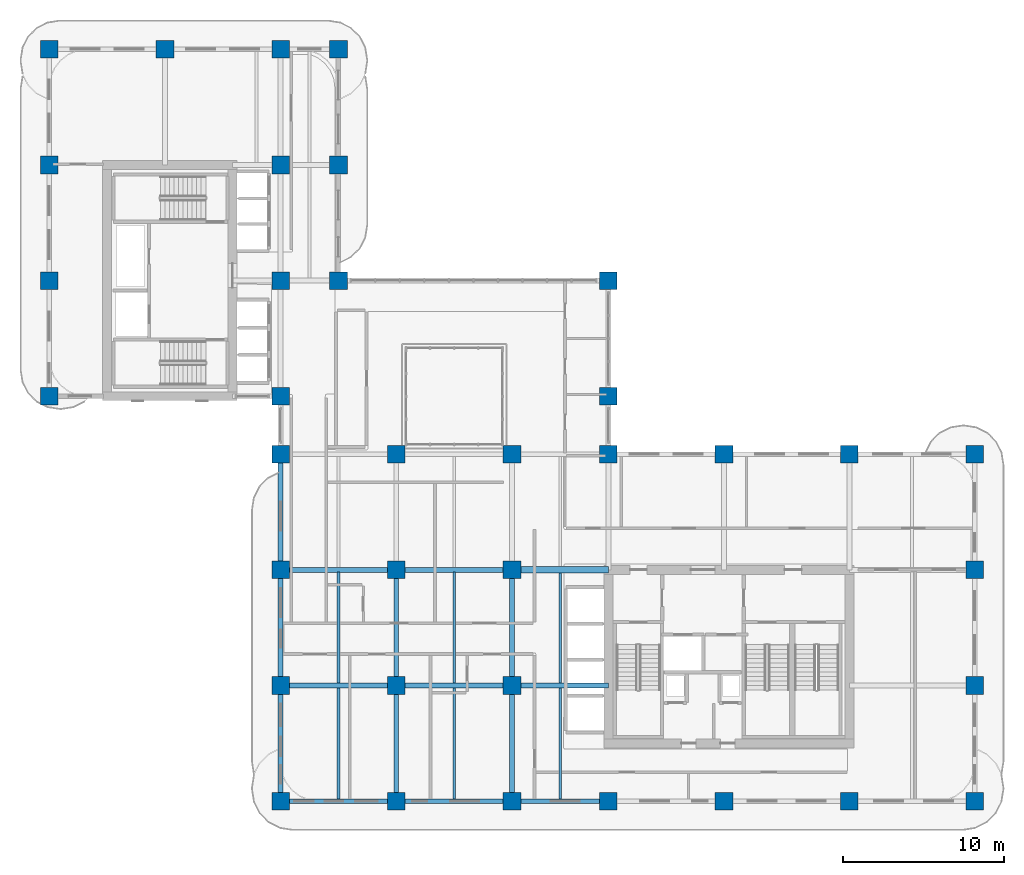
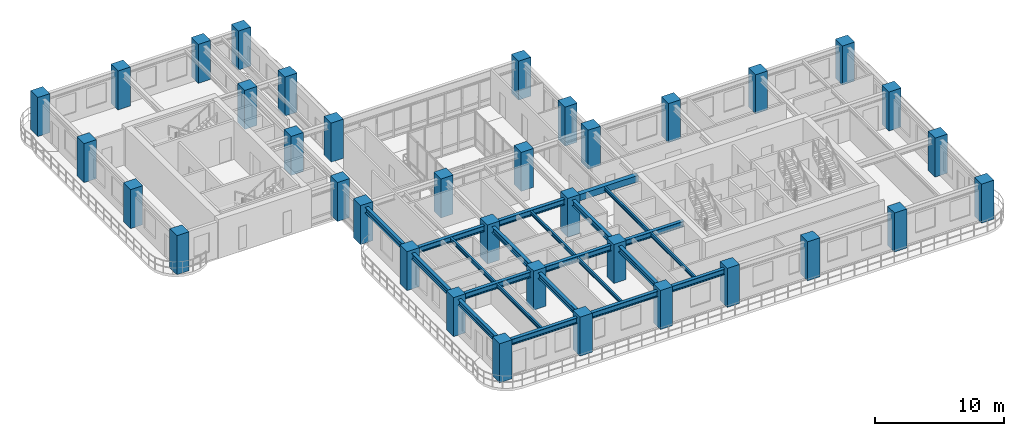
# One storey, part 1 of 19: 36 columns, 22 beams.
"""IFC4 building model written with IfcOpenShell, lengths in metres."""

import ifcopenshell
import ifcopenshell.guid

model = None  # the IFC model being written
_history = None  # IfcOwnerHistory: only IFC2X3 demands one
_inside = {}  # id of a spatial element -> (the spatial element, [elements in it])
_under = {}  # id of a project, library or spatial element -> (it, [spatial elements below it])
_declared = {}  # id of a project -> (the project, [libraries it declares])
_typed = {}  # id of a type object -> (the type object, [elements of that type])
_made_of = {}  # id of a material, layer set ... -> (it, [elements and type objects made of it])


def new_model(schema):
    """Start an empty IFC model of exactly this schema.

    Asked for "IFC4X3", IfcOpenShell would pick the latest addendum, in which some entities
    have other attributes; the version numbers below select the first issue.
    IFC2X3 requires an IfcOwnerHistory on every rooted entity: one is made here for all.
    """
    global model, _history
    if schema == "IFC4X3":
        model = ifcopenshell.file(schema_version=(4, 3, 0, 0))
    else:
        model = ifcopenshell.file(schema=schema)
    _inside.clear()
    _under.clear()
    _declared.clear()
    _typed.clear()
    _made_of.clear()
    _history = None
    if model.schema == "IFC2X3":
        org = make("IfcOrganization", Name="unknown")
        user = make(
            "IfcPersonAndOrganization",
            ThePerson=make("IfcPerson", FamilyName="unknown"),
            TheOrganization=org,
        )
        app = make(
            "IfcApplication",
            ApplicationDeveloper=org,
            Version="unknown",
            ApplicationFullName="unknown",
            ApplicationIdentifier="unknown",
        )
        _history = make(
            "IfcOwnerHistory",
            OwningUser=user,
            OwningApplication=app,
            ChangeAction="ADDED",
            CreationDate=0,
        )
    return model


def make(cls, **values):
    """One entity of the class cls with the attributes given. An attribute that is None is left unset."""
    return model.create_entity(
        cls, **{name: value for name, value in values.items() if value is not None}
    )


def rooted(cls, **values):
    """An entity with a GlobalId (a new one), such as an element, a storey or a relation."""
    return make(cls, GlobalId=ifcopenshell.guid.new(), OwnerHistory=_history, **values)


def si_unit(unit_type, name, prefix=None):
    """IfcSIUnit, for example si_unit("LENGTHUNIT", "METRE", prefix="MILLI")."""
    return make("IfcSIUnit", UnitType=unit_type, Prefix=prefix, Name=name)


def derived_unit(unit_type, elements):
    """IfcDerivedUnit: a product of units, each with its exponent."""
    return make(
        "IfcDerivedUnit",
        Elements=[
            make("IfcDerivedUnitElement", Unit=unit, Exponent=power)
            for unit, power in elements
        ],
        UnitType=unit_type,
    )


def assignment(units):
    """IfcUnitAssignment: the units of a project."""
    return None if units is None else make("IfcUnitAssignment", Units=units)


def point(xyz):
    """IfcCartesianPoint."""
    return None if xyz is None else make("IfcCartesianPoint", Coordinates=xyz)


def direction(xyz):
    """IfcDirection."""
    return None if xyz is None else make("IfcDirection", DirectionRatios=xyz)


def frame(location, z_axis=None, x_axis=None):
    """IfcAxis2Placement3D, a coordinate frame: its origin and axes. An axis left out is left unset."""
    return make(
        "IfcAxis2Placement3D",
        Location=point(location),
        Axis=direction(z_axis),
        RefDirection=direction(x_axis),
    )


def frame_2d(location, x_axis=None):
    """IfcAxis2Placement2D, a coordinate frame in the plane: its origin and x axis."""
    return make(
        "IfcAxis2Placement2D", Location=point(location), RefDirection=direction(x_axis)
    )


def origin():
    """The frame at (0, 0, 0) with its axes left unset."""
    return frame((0.0, 0.0, 0.0))


def origin_2d():
    """The frame at (0, 0) in the plane with its x axis left unset."""
    return frame_2d((0.0, 0.0))


def place(relative_to, where):
    """IfcLocalPlacement: puts the frame where relative to a parent placement (None: the world)."""
    return make(
        "IfcLocalPlacement", PlacementRelTo=relative_to, RelativePlacement=where
    )


def context(
    kind, dimensions, precision=None, world=None, true_north=None, identifier=None
):
    """IfcGeometricRepresentationContext, for example the 3D "Model" context."""
    return make(
        "IfcGeometricRepresentationContext",
        ContextIdentifier=identifier,
        ContextType=kind,
        CoordinateSpaceDimension=dimensions,
        Precision=precision,
        WorldCoordinateSystem=world,
        TrueNorth=true_north,
    )


def subcontext(parent, identifier, kind, view, scale=None):
    """IfcGeometricRepresentationSubContext, for example "Body" below "Model"."""
    return make(
        "IfcGeometricRepresentationSubContext",
        ContextIdentifier=identifier,
        ContextType=kind,
        ParentContext=parent,
        TargetScale=scale,
        TargetView=view,
    )


def project(units=None, contexts=None):
    """IfcProject with its units and contexts."""
    return rooted(
        "IfcProject",
        Name="project",
        RepresentationContexts=contexts,
        UnitsInContext=assignment(units),
    )


def spatial(cls, under=None, at=None, **own):
    """A site, building, storey or space (cls), placed at a placement, below another one or the project."""
    s = rooted(cls, ObjectPlacement=at, **own)
    if under is not None:
        _under.setdefault(under.id(), (under, []))[1].append(s)
    return s


def profile(cls, at=None, kind="AREA", **sizes):
    """A parametric profile (cls). Its sizes go by their IFC names, for example OverallWidth=200.0."""
    return make(cls, ProfileType=kind, Position=at, **sizes)


def rectangle(**sizes):
    """IfcRectangleProfileDef."""
    return profile("IfcRectangleProfileDef", **sizes)


def i_section(**sizes):
    """IfcIShapeProfileDef."""
    return profile("IfcIShapeProfileDef", **sizes)


def extrude(swept, where, along, depth):
    """IfcExtrudedAreaSolid: the profile swept, set in the frame where, extruded along a direction by depth."""
    return make(
        "IfcExtrudedAreaSolid",
        SweptArea=swept,
        Position=where,
        ExtrudedDirection=direction(along),
        Depth=depth,
    )


def shape(context_of_items, identifier, shape_type, items):
    """IfcShapeRepresentation: the items that make up one representation, for example the "Body"."""
    return make(
        "IfcShapeRepresentation",
        ContextOfItems=context_of_items,
        RepresentationIdentifier=identifier,
        RepresentationType=shape_type,
        Items=items,
    )


def source(mapping_origin, context_of_items, identifier, shape_type, items):
    """IfcRepresentationMap: a shape defined once, which mapped items show again and again."""
    return make(
        "IfcRepresentationMap",
        MappingOrigin=mapping_origin,
        MappedRepresentation=shape(context_of_items, identifier, shape_type, items),
    )


def transform(
    local_origin,
    x_axis=None,
    y_axis=None,
    z_axis=None,
    scale=None,
    scale2=None,
    scale3=None,
    uniform=True,
):
    """IfcCartesianTransformationOperator3D, or its non-uniform kind. x_axis, y_axis, z_axis: its Axis1, 2, 3."""
    if uniform:
        return make(
            "IfcCartesianTransformationOperator3D",
            Axis1=direction(x_axis),
            Axis2=direction(y_axis),
            LocalOrigin=point(local_origin),
            Scale=scale,
            Axis3=direction(z_axis),
        )
    return make(
        "IfcCartesianTransformationOperator3DnonUniform",
        Axis1=direction(x_axis),
        Axis2=direction(y_axis),
        LocalOrigin=point(local_origin),
        Scale=scale,
        Axis3=direction(z_axis),
        Scale2=scale2,
        Scale3=scale3,
    )


def mapped(mapping_source, mapping_target):
    """IfcMappedItem: shows the shape of a source again, moved by a transform."""
    return make(
        "IfcMappedItem", MappingSource=mapping_source, MappingTarget=mapping_target
    )


def material(Name=None, Category=None):
    """IfcMaterial."""
    return make("IfcMaterial", Name=Name, Category=Category)


def material_profile(
    of_material, cross_section, Name=None, Category=None, Priority=None
):
    """IfcMaterialProfile: a cross section and its material."""
    return make(
        "IfcMaterialProfile",
        Name=Name,
        Material=of_material,
        Profile=cross_section,
        Priority=Priority,
        Category=Category,
    )


def profile_set(profiles, Name=None, composite=None):
    """IfcMaterialProfileSet."""
    return make(
        "IfcMaterialProfileSet",
        Name=Name,
        MaterialProfiles=profiles,
        CompositeProfile=composite,
    )


def made_of(thing, what):
    """Note that an element or type object is made of a material, layer set ...; save() writes the relation."""
    if what is not None:
        _made_of.setdefault(what.id(), (what, []))[1].append(thing)
    return thing


def type_object(cls, material=None, **own):
    """A type object (cls), such as IfcWallType, which elements share."""
    return made_of(rooted(cls, **own), material)


def type_shapes(of_type, sources):
    """Give a type object the sources (RepresentationMaps) that its elements show as mapped items."""
    of_type.RepresentationMaps = sources


def element(
    cls,
    number,
    at=None,
    inside=None,
    cuts=None,
    type_object=None,
    material=None,
    context=None,
    identifier="Body",
    shape_type=None,
    held_by="IfcProductDefinitionShape",
    body=None,
    shapes=None,
    **own,
):
    """One element of the class cls, such as IfcWall. Its Tag is "e" and its number.

    at: its placement. inside: the storey or other place that contains it. cuts: it is an
    opening in that element (IfcRelVoidsElement). A single representation is given by context,
    identifier, shape_type and body (its items); several are given by shapes. held_by: the class
    of the entity that holds the representations. save() writes the other relations.
    """
    e = rooted(cls, Tag="e%d" % number, ObjectPlacement=at, **own)
    if body is not None:
        shapes = [shape(context, identifier, shape_type, body)]
    if shapes is not None:
        e.Representation = make(held_by, Representations=shapes)
    if inside is not None:
        _inside.setdefault(inside.id(), (inside, []))[1].append(e)
    if cuts is not None:
        rooted(
            "IfcRelVoidsElement", RelatingBuildingElement=cuts, RelatedOpeningElement=e
        )
    if type_object is not None:
        _typed.setdefault(type_object.id(), (type_object, []))[1].append(e)
    return made_of(e, material)


def aggregate(whole, parts):
    """IfcRelAggregates: a whole, such as a stair, and the parts it consists of."""
    return rooted("IfcRelAggregates", RelatingObject=whole, RelatedObjects=parts)


def save(model, path):
    """Write the relations noted so far, then the file.

    IfcRelAggregates (storeys below a building ...), IfcRelContainedInSpatialStructure (elements
    in a storey), IfcRelDefinesByType, IfcRelAssociatesMaterial and IfcRelDeclares: one each for
    every whole, place, type object, material and project.
    """
    for whole, parts in _under.values():
        aggregate(whole, parts)
    for where, things in _inside.values():
        rooted(
            "IfcRelContainedInSpatialStructure",
            RelatedElements=things,
            RelatingStructure=where,
        )
    for kind, things in _typed.values():
        rooted("IfcRelDefinesByType", RelatedObjects=things, RelatingType=kind)
    for what, things in _made_of.values():
        rooted("IfcRelAssociatesMaterial", RelatedObjects=things, RelatingMaterial=what)
    for by, libraries in _declared.values():
        rooted("IfcRelDeclares", RelatingContext=by, RelatedDefinitions=libraries)
    model.write(path)


model = new_model("IFC4")

# Units and contexts
model_context = context("Model", 3, precision=1e-05, world=origin(), true_north=direction((0.0, 1.0)))
body_context = subcontext(model_context, "Body", "Model", "MODEL_VIEW")
ifc_project = project(units=[si_unit("LENGTHUNIT", "METRE"), si_unit("AREAUNIT", "SQUARE_METRE"), si_unit("VOLUMEUNIT", "CUBIC_METRE"), si_unit("PLANEANGLEUNIT", "RADIAN"), si_unit("MASSUNIT", "GRAM", prefix="KILO"), si_unit("THERMODYNAMICTEMPERATUREUNIT", "KELVIN"), si_unit("POWERUNIT", "WATT"), derived_unit("THERMALTRANSMITTANCEUNIT", [(si_unit("POWERUNIT", "WATT"), 1), (si_unit("AREAUNIT", "SQUARE_METRE"), -1), (si_unit("THERMODYNAMICTEMPERATUREUNIT", "KELVIN"), -1)])], contexts=[model_context])

# Site, building, storey
site_placement = place(None, origin())
site = spatial("IfcSite", under=ifc_project, at=site_placement, CompositionType="ELEMENT")
building_placement = place(site_placement, origin())
building = spatial("IfcBuilding", under=site, at=building_placement, Name="Zahravan Archway Hotel and Residences", CompositionType="ELEMENT")
storey_placement = place(building_placement, frame((0.0, 0.0, 102.699951171875)))
storey = spatial("IfcBuildingStorey", under=building, at=storey_placement, Name="L25", CompositionType="ELEMENT", Elevation=102.699951171875)

# Columns
ifc_material_1 = material(Name="Concrete C70/85", Category="concrete")
ifc_material_profile_1 = material_profile(ifc_material_1, rectangle(XDim=1.10009765625, YDim=1.10009765625, at=origin_2d()), Name="RC 1100x1100", Category="concrete")
ifc_profile_set_1 = profile_set([ifc_material_profile_1], Name="Concrete C70/85")
column_type = type_object("IfcColumnType", Name="COL-RC-1100", PredefinedType="COLUMN", material=ifc_profile_set_1)
shared_shape_1 = source(origin(), body_context, "Body", "SweptSolid", [
    extrude(rectangle(XDim=1.10009765625, YDim=1.10009765625, at=origin_2d()), origin(), (0.0, 0.0, 1.0), 3.699951171875),
])
for number, where, z_axis, x_axis, name in (
    (1, (0.0, 25.199951171875, 0.0), (0.0, 0.0, 1.0), (1.0, 0.0, 0.0), "L25 Column 1-E"),
    (2, (0.0, 32.39990234375, 0.0), (0.0, 0.0, 1.0), (1.0, 0.0, 0.0), "L25 Column 1-F"),
    (3, (0.0, 39.60009765625, 0.0), (0.0, 0.0, 1.0), (1.0, 0.0, 0.0), "L25 Column 1-G"),
    (4, (0.0, 46.800048828125, 0.0), (0.0, 0.0, 1.0), (1.0, 0.0, 0.0), "L25 Column 1-H"),
    (5, (7.199951171875, 46.800048828125, 0.0), (0.0, 0.0, 1.0), (1.0, 0.0, 0.0), "L25 Column 2-H"),
    (6, (14.39990234375, 0.0, 0.0), (0.0, 0.0, 1.0), (1.0, 0.0, 0.0), "L25 Column 3-A"),
    (7, (14.39990234375, 7.199951171875, 0.0), (0.0, 0.0, 1.0), (1.0, 0.0, 0.0), "L25 Column 3-B"),
    (8, (14.39990234375, 14.39990234375, 0.0), (0.0, 0.0, 1.0), (1.0, 0.0, 0.0), "L25 Column 3-C"),
    (9, (14.39990234375, 21.60009765625, 0.0), (0.0, 0.0, 1.0), (1.0, 0.0, 0.0), "L25 Column 3-D"),
    (10, (14.39990234375, 25.199951171875, 0.0), (0.0, 0.0, 1.0), (1.0, 0.0, 0.0), "L25 Column 3-E"),
    (11, (14.39990234375, 32.39990234375, 0.0), (0.0, 0.0, 1.0), (1.0, 0.0, 0.0), "L25 Column 3-F"),
    (12, (14.39990234375, 39.60009765625, 0.0), (0.0, 0.0, 1.0), (1.0, 0.0, 0.0), "L25 Column 3-G"),
    (13, (14.39990234375, 46.800048828125, 0.0), (0.0, 0.0, 1.0), (1.0, 0.0, 0.0), "L25 Column 3-H"),
    (14, (21.60009765625, 0.0, 0.0), (0.0, 0.0, 1.0), (1.0, 0.0, 0.0), "L25 Column 4-A"),
    (15, (21.60009765625, 7.199951171875, 0.0), (0.0, 0.0, 1.0), (1.0, 0.0, 0.0), "L25 Column 4-B"),
    (16, (21.60009765625, 14.39990234375, 0.0), (0.0, 0.0, 1.0), (1.0, 0.0, 0.0), "L25 Column 4-C"),
    (17, (21.60009765625, 21.60009765625, 0.0), (0.0, 0.0, 1.0), (1.0, 0.0, 0.0), "L25 Column 4-D"),
    (18, (28.800048828125, 0.0, 0.0), (0.0, 0.0, 1.0), (1.0, 0.0, 0.0), "L25 Column 5-A"),
    (19, (28.800048828125, 7.199951171875, 0.0), (0.0, 0.0, 1.0), (1.0, 0.0, 0.0), "L25 Column 5-B"),
    (20, (28.800048828125, 14.39990234375, 0.0), (0.0, 0.0, 1.0), (1.0, 0.0, 0.0), "L25 Column 5-C"),
    (21, (28.800048828125, 21.60009765625, 0.0), (0.0, 0.0, 1.0), (1.0, 0.0, 0.0), "L25 Column 5-D"),
    (22, (34.800048828125, 0.0, 0.0), (0.0, 0.0, 1.0), (1.0, 0.0, 0.0), "L25 Column 6-A"),
    (23, (34.800048828125, 21.60009765625, 0.0), (0.0, 0.0, 1.0), (1.0, 0.0, 0.0), "L25 Column 6-D"),
    (24, (34.800048828125, 25.199951171875, 0.0), (0.0, 0.0, 1.0), (1.0, 0.0, 0.0), "L25 Column 6-E"),
    (25, (34.800048828125, 32.39990234375, 0.0), (0.0, 0.0, 1.0), (1.0, 0.0, 0.0), "L25 Column 6-F"),
    (26, (42.0, 0.0, 0.0), (0.0, 0.0, 1.0), (1.0, 0.0, 0.0), "L25 Column 7-A"),
    (27, (42.0, 21.60009765625, 0.0), (0.0, 0.0, 1.0), (1.0, 0.0, 0.0), "L25 Column 7-D"),
    (28, (49.800048828125, 0.0, 0.0), (0.0, 0.0, 1.0), (1.0, 0.0, 0.0), "L25 Column 8-A"),
    (29, (49.800048828125, 21.60009765625, 0.0), (0.0, 0.0, 1.0), (1.0, 0.0, 0.0), "L25 Column 8-D"),
    (30, (57.60009765625, 0.0, 0.0), (0.0, 0.0, 1.0), (1.0, 0.0, 0.0), "L25 Column 9-A"),
    (31, (57.60009765625, 7.199951171875, 0.0), (0.0, 0.0, 1.0), (1.0, 0.0, 0.0), "L25 Column 9-B"),
    (32, (57.60009765625, 14.39990234375, 0.0), (0.0, 0.0, 1.0), (1.0, 0.0, 0.0), "L25 Column 9-C"),
    (33, (57.60009765625, 21.60009765625, 0.0), (0.0, 0.0, 1.0), (1.0, 0.0, 0.0), "L25 Column 9-D"),
    (34, (18.0, 32.39990234375, 0.0), (0.0, 0.0, 1.0), (1.0, 0.0, 0.0), "L25 Column 3B-F"),
    (35, (18.0, 39.60009765625, 0.0), (0.0, 0.0, 1.0), (1.0, 0.0, 0.0), "L25 Column 3B-G"),
    (36, (18.0, 46.800048828125, 0.0), (0.0, 0.0, 1.0), (1.0, 0.0, 0.0), "L25 Column 3B-H"),
):
    element("IfcColumn", number, at=place(storey_placement, frame(where, z_axis=z_axis, x_axis=x_axis)), inside=storey, type_object=column_type, Name=name, PredefinedType="COLUMN", context=body_context, shape_type="MappedRepresentation", body=[
        mapped(shared_shape_1, transform((0.0, 0.0, 0.0), scale=1.0)),
    ])

# Beams
ifc_material_2 = material(Name="Concrete C60/75", Category="concrete")
ifc_material_profile_2 = material_profile(ifc_material_2, rectangle(XDim=0.39990234375, YDim=0.60009765625, at=origin_2d()), Name="RC-LNT-400x600", Category="concrete")
ifc_profile_set_2 = profile_set([ifc_material_profile_2], Name="Concrete C60/75")
beam_type_1 = type_object("IfcBeamType", Name="LNT-RC-400x600", PredefinedType="LINTEL", material=ifc_profile_set_2)
shared_shape_2 = source(origin(), body_context, "Body", "SweptSolid", [
    extrude(rectangle(XDim=0.39990234375, YDim=0.60009765625, at=origin_2d()), origin(), (0.0, 0.0, 1.0), 6.0),
])
type_shapes(beam_type_1, [shared_shape_2])
beam_1_placement = place(storey_placement, frame((28.800048828125, 14.39990234375, 3.10009765625), z_axis=(1.0, 0.0, 0.0), x_axis=(0.0, 1.0, 0.0)))
element("IfcBeam", 37, at=beam_1_placement, inside=storey, type_object=beam_type_1, Name="L25 Core A Coupling Lintel Beam", PredefinedType="LINTEL", context=body_context, shape_type="MappedRepresentation", body=[
    mapped(shared_shape_2, transform((0.0, 0.0, 0.0), scale=1.0)),
])
ifc_material_3 = material(Name="Structural Steel S355JR", Category="steel")
ifc_material_profile_3 = material_profile(ifc_material_3, i_section(OverallWidth=0.300048828125, OverallDepth=0.550048828125, WebThickness=0.014892578125, FlangeThickness=0.029052734375, FilletRadius=0.027099609375, at=origin_2d()), Name="HEB 550", Category="steel")
ifc_profile_set_3 = profile_set([ifc_material_profile_3], Name="Structural Steel S355JR")
beam_type_2 = type_object("IfcBeamType", Name="BM-PRI-HEB550", PredefinedType="BEAM", material=ifc_profile_set_3)
shared_shape_3 = source(origin(), body_context, "Body", "SweptSolid", [
    extrude(i_section(OverallWidth=0.300048828125, OverallDepth=0.550048828125, WebThickness=0.014892578125, FlangeThickness=0.029052734375, FilletRadius=0.027099609375, at=origin_2d()), origin(), (0.0, 0.0, 1.0), 7.2001953125),
])
type_shapes(beam_type_2, [shared_shape_3])
for number, where, z_axis, x_axis, name in (
    (38, (14.39990234375, 0.0, 3.125), (1.0, 0.0, 0.0), (0.0, 1.0, 0.0), "L25 Primary Girder EW-01"),
    (39, (14.39990234375, 7.199951171875, 3.125), (1.0, 0.0, 0.0), (0.0, 1.0, 0.0), "L25 Primary Girder EW-07"),
    (40, (14.39990234375, 14.39990234375, 3.125), (1.0, 0.0, 0.0), (0.0, 1.0, 0.0), "L25 Primary Girder EW-11"),
    (41, (14.39990234375, 14.39990234375, 3.125), (0.0, 1.0, 0.0), (-1.0, 0.0, 0.0), "L25 Primary Girder NS-35"),
):
    element("IfcBeam", number, at=place(storey_placement, frame(where, z_axis=z_axis, x_axis=x_axis)), inside=storey, type_object=beam_type_2, Name=name, PredefinedType="BEAM", context=body_context, shape_type="MappedRepresentation", body=[
        mapped(shared_shape_3, transform((0.0, 0.0, 0.0), scale=1.0)),
    ])
shared_shape_4 = source(origin(), body_context, "Body", "SweptSolid", [
    extrude(i_section(OverallWidth=0.300048828125, OverallDepth=0.550048828125, WebThickness=0.014892578125, FlangeThickness=0.029052734375, FilletRadius=0.027099609375, at=origin_2d()), origin(), (0.0, 0.0, 1.0), 7.199951171875),
])
for number, where, z_axis, x_axis, name in (
    (42, (21.60009765625, 0.0, 3.125), (1.0, 0.0, 0.0), (0.0, 1.0, 0.0), "L25 Primary Girder EW-02"),
    (43, (21.60009765625, 7.199951171875, 3.125), (1.0, 0.0, 0.0), (0.0, 1.0, 0.0), "L25 Primary Girder EW-08"),
    (44, (21.60009765625, 14.39990234375, 3.125), (1.0, 0.0, 0.0), (0.0, 1.0, 0.0), "L25 Primary Girder EW-12"),
    (45, (14.39990234375, 0.0, 3.125), (0.0, 1.0, 0.0), (-1.0, 0.0, 0.0), "L25 Primary Girder NS-33"),
    (46, (14.39990234375, 7.199951171875, 3.125), (0.0, 1.0, 0.0), (-1.0, 0.0, 0.0), "L25 Primary Girder NS-34"),
    (47, (21.60009765625, 0.0, 3.125), (0.0, 1.0, 0.0), (-1.0, 0.0, 0.0), "L25 Primary Girder NS-40"),
    (48, (21.60009765625, 7.199951171875, 3.125), (0.0, 1.0, 0.0), (-1.0, 0.0, 0.0), "L25 Primary Girder NS-41"),
    (49, (28.800048828125, 0.0, 3.125), (0.0, 1.0, 0.0), (-1.0, 0.0, 0.0), "L25 Primary Girder NS-43"),
    (50, (28.800048828125, 7.199951171875, 3.125), (0.0, 1.0, 0.0), (-1.0, 0.0, 0.0), "L25 Primary Girder NS-44"),
):
    element("IfcBeam", number, at=place(storey_placement, frame(where, z_axis=z_axis, x_axis=x_axis)), inside=storey, type_object=beam_type_2, Name=name, PredefinedType="BEAM", context=body_context, shape_type="MappedRepresentation", body=[
        mapped(shared_shape_4, transform((0.0, 0.0, 0.0), scale=1.0)),
    ])
shared_shape_5 = source(origin(), body_context, "Body", "SweptSolid", [
    extrude(i_section(OverallWidth=0.300048828125, OverallDepth=0.550048828125, WebThickness=0.014892578125, FlangeThickness=0.029052734375, FilletRadius=0.027099609375, at=origin_2d()), origin(), (0.0, 0.0, 1.0), 6.0),
])
for number, where, z_axis, x_axis, name in (
    (51, (28.800048828125, 0.0, 3.125), (1.0, 0.0, 0.0), (0.0, 1.0, 0.0), "L25 Primary Girder EW-03"),
    (52, (28.800048828125, 7.199951171875, 3.125), (1.0, 0.0, 0.0), (0.0, 1.0, 0.0), "L25 Primary Girder EW-09"),
):
    element("IfcBeam", number, at=place(storey_placement, frame(where, z_axis=z_axis, x_axis=x_axis)), inside=storey, type_object=beam_type_2, Name=name, PredefinedType="BEAM", context=body_context, shape_type="MappedRepresentation", body=[
        mapped(shared_shape_5, transform((0.0, 0.0, 0.0), scale=1.0)),
    ])
ifc_material_profile_4 = material_profile(ifc_material_3, i_section(OverallWidth=0.169921875, OverallDepth=0.360107421875, WebThickness=0.008056640625, FlangeThickness=0.0126953125, FilletRadius=0.01806640625, at=origin_2d()), Name="IPE 360", Category="steel")
ifc_profile_set_4 = profile_set([ifc_material_profile_4], Name="Structural Steel S355JR")
beam_type_3 = type_object("IfcBeamType", Name="BM-JST-IPE360", PredefinedType="JOIST", material=ifc_profile_set_4)
shared_shape_6 = source(origin(), body_context, "Body", "SweptSolid", [
    extrude(i_section(OverallWidth=0.169921875, OverallDepth=0.360107421875, WebThickness=0.008056640625, FlangeThickness=0.0126953125, FilletRadius=0.01806640625, at=origin_2d()), origin(), (0.0, 0.0, 1.0), 6.904052734375),
])
type_shapes(beam_type_3, [shared_shape_6])
for number, where, z_axis, x_axis, name in (
    (53, (18.0, 0.14794921875, 3.219970703125), (0.0, 1.0, 0.0), (-1.0, 0.0, 0.0), "L25 Composite Floor Joist 01"),
    (54, (25.199951171875, 0.14794921875, 3.219970703125), (0.0, 1.0, 0.0), (-1.0, 0.0, 0.0), "L25 Composite Floor Joist 02"),
    (55, (31.800048828125, 0.14794921875, 3.219970703125), (0.0, 1.0, 0.0), (-1.0, 0.0, 0.0), "L25 Composite Floor Joist 03"),
    (56, (18.0, 7.347900390625, 3.219970703125), (0.0, 1.0, 0.0), (-1.0, 0.0, 0.0), "L25 Composite Floor Joist 05"),
    (57, (25.199951171875, 7.347900390625, 3.219970703125), (0.0, 1.0, 0.0), (-1.0, 0.0, 0.0), "L25 Composite Floor Joist 06"),
):
    element("IfcBeam", number, at=place(storey_placement, frame(where, z_axis=z_axis, x_axis=x_axis)), inside=storey, type_object=beam_type_3, Name=name, PredefinedType="JOIST", context=body_context, shape_type="MappedRepresentation", body=[
        mapped(shared_shape_6, transform((0.0, 0.0, 0.0), scale=1.0)),
    ])
shared_shape_7 = source(origin(), body_context, "Body", "SweptSolid", [
    extrude(i_section(OverallWidth=0.169921875, OverallDepth=0.360107421875, WebThickness=0.008056640625, FlangeThickness=0.0126953125, FilletRadius=0.01806640625, at=origin_2d()), origin(), (0.0, 0.0, 1.0), 6.85400390625),
])
beam_2_placement = place(storey_placement, frame((31.800048828125, 7.347900390625, 3.219970703125), z_axis=(0.0, 1.0, 0.0), x_axis=(-1.0, 0.0, 0.0)))
element("IfcBeam", 58, at=beam_2_placement, inside=storey, type_object=beam_type_3, Name="L25 Composite Floor Joist 07", PredefinedType="JOIST", context=body_context, shape_type="MappedRepresentation", body=[
    mapped(shared_shape_7, transform((0.0, 0.0, 0.0), scale=1.0)),
])

save(model, "model.ifc")
